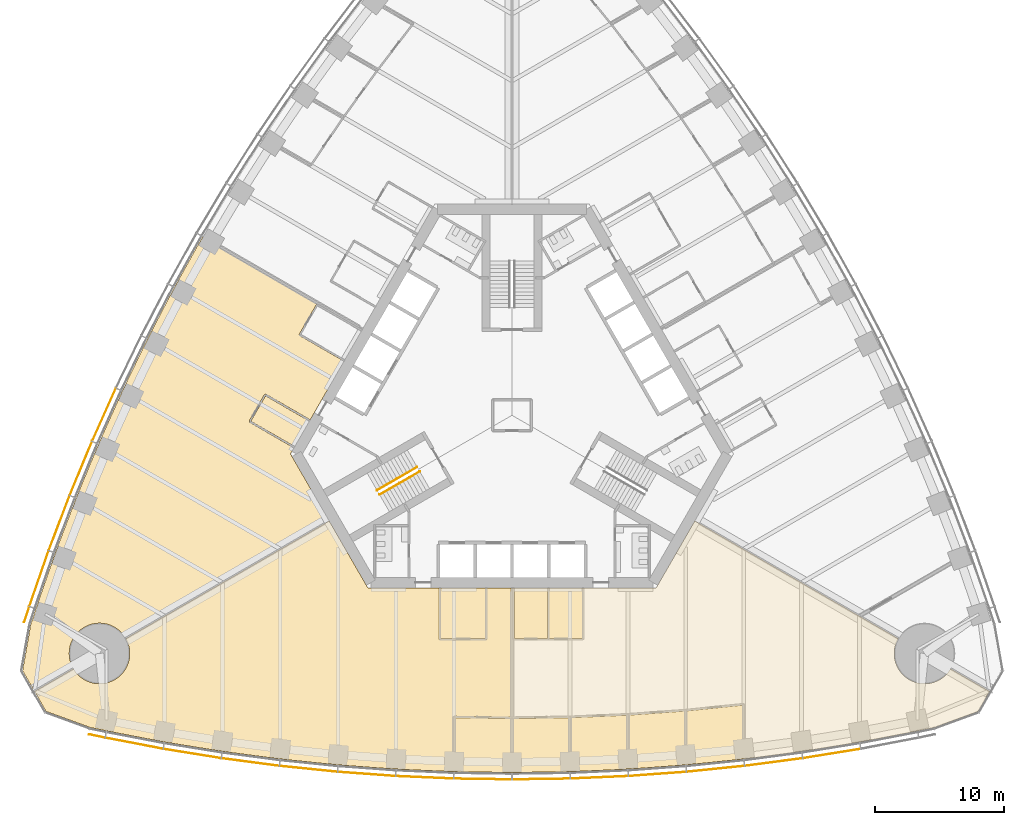
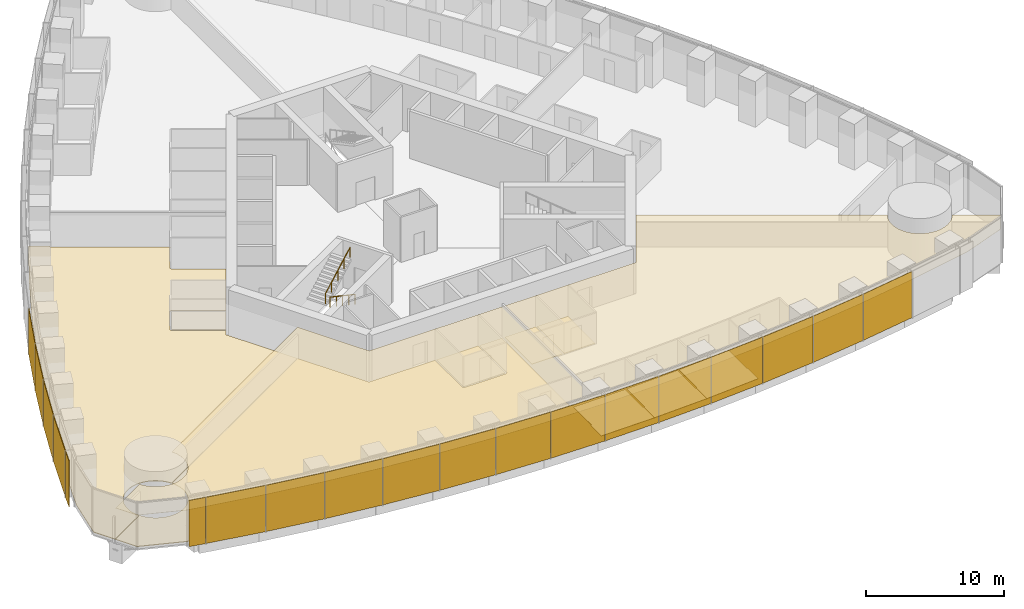
# One storey, part 14 of 18: 19 shading devices, 12 coverings, 2 railings.
"""IFC4 building model written with IfcOpenShell, lengths in metres."""

from ifc_helpers import new_model, si_unit, direction, frame, origin, origin_2d, place, context, subcontext, project, spatial, polyline, rectangle, circle, outline, extrude, material, layer, layer_set, type_object, element, save


model = new_model("IFC4")

# Units and contexts
model_context = context("Model", 3, precision=1e-05, world=origin(), true_north=direction((0.0, 1.0)))
body_context = subcontext(model_context, "Body", "Model", "MODEL_VIEW")
ifc_project = project(units=[si_unit("LENGTHUNIT", "METRE"), si_unit("AREAUNIT", "SQUARE_METRE"), si_unit("VOLUMEUNIT", "CUBIC_METRE"), si_unit("PLANEANGLEUNIT", "RADIAN"), si_unit("MASSUNIT", "GRAM", prefix="KILO")], contexts=[model_context])

# Site, building, storey
site_placement = place(None, origin())
site = spatial("IfcSite", under=ifc_project, at=site_placement, CompositionType="ELEMENT")
building_placement = place(site_placement, origin())
building = spatial("IfcBuilding", under=site, at=building_placement, Name="Trefoil Bronze Tower", CompositionType="ELEMENT")
storey_placement = place(building_placement, frame((0.0, 0.0, 37.5)))
storey = spatial("IfcBuildingStorey", under=building, at=storey_placement, Name="L08", CompositionType="ELEMENT", Elevation=37.5)

# Shading devices
ifc_material_1 = material(Name="Perforated bronze sheet", Category="bronze")
ifc_layer_1 = layer(ifc_material_1, 0.0400390625)
ifc_layer_set_1 = layer_set([ifc_layer_1], Name="Bronze solar screen panel")
shading_device_type = type_object("IfcShadingDeviceType", Name="Bronze solar screen panel", PredefinedType="SHUTTER", material=ifc_layer_set_1)
shading_device_1_placement = place(storey_placement, frame((-32.2431640625, -24.91064453125, 0.050048828125), z_axis=(0.0, 0.0, 1.0), x_axis=(0.978302717041, -0.207180582657, 0.0)))
element("IfcShadingDevice", 1, at=shading_device_1_placement, inside=storey, type_object=shading_device_type, Name="Solar screen CW-A L08 F1 bay 1", PredefinedType="SHUTTER", context=body_context, shape_type="SweptSolid", body=[
    extrude(rectangle(XDim=1.260498046875, YDim=0.0400390625, at=origin_2d()), origin(), (0.0, 0.0, 1.0), 4.10009765625),
])
shading_device_2_placement = place(storey_placement, frame((-29.351806640625, -25.478515625, 0.050048828125), z_axis=(0.0, 0.0, 1.0), x_axis=(0.982049823817, -0.188621694249, 0.0)))
element("IfcShadingDevice", 2, at=shading_device_2_placement, inside=storey, type_object=shading_device_type, Name="Solar screen CW-A L08 F1 bay 2", PredefinedType="SHUTTER", context=body_context, shape_type="SweptSolid", body=[
    extrude(rectangle(XDim=4.55224609375, YDim=0.0400390625, at=origin_2d()), origin(), (0.0, 0.0, 1.0), 4.10009765625),
])
shading_device_3_placement = place(storey_placement, frame((-24.836181640625, -26.277099609375, 0.050048828125), z_axis=(0.0, 0.0, 1.0), x_axis=(0.987181315145, -0.159602791421, 0.0)))
element("IfcShadingDevice", 3, at=shading_device_3_placement, inside=storey, type_object=shading_device_type, Name="Solar screen CW-A L08 F1 bay 3", PredefinedType="SHUTTER", context=body_context, shape_type="SweptSolid", body=[
    extrude(rectangle(XDim=4.5283203125, YDim=0.0400390625, at=origin_2d()), origin(), (0.0, 0.0, 1.0), 4.10009765625),
])
shading_device_4_placement = place(storey_placement, frame((-20.320556640625, -26.939697265625, 0.050048828125), z_axis=(0.0, 0.0, 1.0), x_axis=(0.991437251591, -0.130583981243, 0.0)))
element("IfcShadingDevice", 4, at=shading_device_4_placement, inside=storey, type_object=shading_device_type, Name="Solar screen CW-A L08 F1 bay 4", PredefinedType="SHUTTER", context=body_context, shape_type="SweptSolid", body=[
    extrude(rectangle(XDim=4.5087890625, YDim=0.0400390625, at=origin_2d()), origin(), (0.0, 0.0, 1.0), 4.10009765625),
])
shading_device_5_placement = place(storey_placement, frame((-15.804931640625, -27.467529296875, 0.050048828125), z_axis=(0.0, 0.0, 1.0), x_axis=(0.994828880293, -0.101565244717, 0.0)))
element("IfcShadingDevice", 5, at=shading_device_5_placement, inside=storey, type_object=shading_device_type, Name="Solar screen CW-A L08 F1 bay 5", PredefinedType="SHUTTER", context=body_context, shape_type="SweptSolid", body=[
    extrude(rectangle(XDim=4.493408203125, YDim=0.0400390625, at=origin_2d()), origin(), (0.0, 0.0, 1.0), 4.10009765625),
])
shading_device_6_placement = place(storey_placement, frame((-11.2890625, -27.8623046875, 0.050048828125), z_axis=(0.0, 0.0, 1.0), x_axis=(0.99736502647, -0.072546564177, 0.0)))
element("IfcShadingDevice", 6, at=shading_device_6_placement, inside=storey, type_object=shading_device_type, Name="Solar screen CW-A L08 F1 bay 6", PredefinedType="SHUTTER", context=body_context, shape_type="SweptSolid", body=[
    extrude(rectangle(XDim=4.48193359375, YDim=0.0400390625, at=origin_2d()), origin(), (0.0, 0.0, 1.0), 4.10009765625),
])
shading_device_7_placement = place(storey_placement, frame((-6.7734375, -28.124755859375, 0.050048828125), z_axis=(0.0, 0.0, 1.0), x_axis=(0.999052210809, -0.043527922969, 0.0)))
element("IfcShadingDevice", 7, at=shading_device_7_placement, inside=storey, type_object=shading_device_type, Name="Solar screen CW-A L08 F1 bay 7", PredefinedType="SHUTTER", context=body_context, shape_type="SweptSolid", body=[
    extrude(rectangle(XDim=4.474365234375, YDim=0.0400390625, at=origin_2d()), origin(), (0.0, 0.0, 1.0), 4.10009765625),
])
for number, where, z_axis, x_axis, name in (
    (8, (-2.2578125, -28.256103515625, 0.050048828125), (0.0, 0.0, 1.0), (0.999894734493, -0.014509305083, 0.0), "Solar screen CW-A L08 F1 bay 8"),
    (9, (2.2578125, -28.256103515625, 0.050048828125), (0.0, 0.0, 1.0), (0.999894734493, 0.014509305083, 0.0), "Solar screen CW-A L08 F1 bay 9"),
):
    element("IfcShadingDevice", number, at=place(storey_placement, frame(where, z_axis=z_axis, x_axis=x_axis)), inside=storey, type_object=shading_device_type, Name=name, PredefinedType="SHUTTER", context=body_context, shape_type="SweptSolid", body=[
        extrude(rectangle(XDim=4.470458984375, YDim=0.0400390625, at=origin_2d()), origin(), (0.0, 0.0, 1.0), 4.10009765625),
    ])
shading_device_8_placement = place(storey_placement, frame((6.7734375, -28.124755859375, 0.050048828125), z_axis=(0.0, 0.0, 1.0), x_axis=(0.999052210809, 0.043527922969, 0.0)))
element("IfcShadingDevice", 10, at=shading_device_8_placement, inside=storey, type_object=shading_device_type, Name="Solar screen CW-A L08 F1 bay 10", PredefinedType="SHUTTER", context=body_context, shape_type="SweptSolid", body=[
    extrude(rectangle(XDim=4.474365234375, YDim=0.0400390625, at=origin_2d()), origin(), (0.0, 0.0, 1.0), 4.10009765625),
])
shading_device_9_placement = place(storey_placement, frame((11.2890625, -27.8623046875, 0.050048828125), z_axis=(0.0, 0.0, 1.0), x_axis=(0.99736502647, 0.072546564177, 0.0)))
element("IfcShadingDevice", 11, at=shading_device_9_placement, inside=storey, type_object=shading_device_type, Name="Solar screen CW-A L08 F1 bay 11", PredefinedType="SHUTTER", context=body_context, shape_type="SweptSolid", body=[
    extrude(rectangle(XDim=4.48193359375, YDim=0.0400390625, at=origin_2d()), origin(), (0.0, 0.0, 1.0), 4.10009765625),
])
shading_device_10_placement = place(storey_placement, frame((15.804931640625, -27.467529296875, 0.050048828125), z_axis=(0.0, 0.0, 1.0), x_axis=(0.994828880293, 0.101565244717, 0.0)))
element("IfcShadingDevice", 12, at=shading_device_10_placement, inside=storey, type_object=shading_device_type, Name="Solar screen CW-A L08 F1 bay 12", PredefinedType="SHUTTER", context=body_context, shape_type="SweptSolid", body=[
    extrude(rectangle(XDim=4.493408203125, YDim=0.0400390625, at=origin_2d()), origin(), (0.0, 0.0, 1.0), 4.10009765625),
])
shading_device_11_placement = place(storey_placement, frame((20.320556640625, -26.939697265625, 0.050048828125), z_axis=(0.0, 0.0, 1.0), x_axis=(0.991437251591, 0.130583981243, 0.0)))
element("IfcShadingDevice", 13, at=shading_device_11_placement, inside=storey, type_object=shading_device_type, Name="Solar screen CW-A L08 F1 bay 13", PredefinedType="SHUTTER", context=body_context, shape_type="SweptSolid", body=[
    extrude(rectangle(XDim=4.5087890625, YDim=0.0400390625, at=origin_2d()), origin(), (0.0, 0.0, 1.0), 4.10009765625),
])
shading_device_12_placement = place(storey_placement, frame((24.836181640625, -26.277099609375, 0.050048828125), z_axis=(0.0, 0.0, 1.0), x_axis=(0.987181315145, 0.159602791421, 0.0)))
element("IfcShadingDevice", 14, at=shading_device_12_placement, inside=storey, type_object=shading_device_type, Name="Solar screen CW-A L08 F1 bay 14", PredefinedType="SHUTTER", context=body_context, shape_type="SweptSolid", body=[
    extrude(rectangle(XDim=4.5283203125, YDim=0.0400390625, at=origin_2d()), origin(), (0.0, 0.0, 1.0), 4.10009765625),
])
shading_device_13_placement = place(storey_placement, frame((-31.68994140625, 0.04638671875, 0.050048828125), z_axis=(0.0, 0.0, 1.0), x_axis=(-0.40945635808, -0.912329705111, 0.0)))
element("IfcShadingDevice", 15, at=shading_device_13_placement, inside=storey, type_object=shading_device_type, Name="Solar screen CW-A L08 F3 bay 12", PredefinedType="SHUTTER", context=body_context, shape_type="SweptSolid", body=[
    extrude(rectangle(XDim=4.493408203125, YDim=0.0400390625, at=origin_2d()), origin(), (0.0, 0.0, 1.0), 4.10009765625),
])
shading_device_14_placement = place(storey_placement, frame((-33.49072265625, -4.128173828125, 0.050048828125), z_axis=(0.0, 0.0, 1.0), x_axis=(-0.382629580712, -0.923901836758, 0.0)))
element("IfcShadingDevice", 16, at=shading_device_14_placement, inside=storey, type_object=shading_device_type, Name="Solar screen CW-A L08 F3 bay 13", PredefinedType="SHUTTER", context=body_context, shape_type="SweptSolid", body=[
    extrude(rectangle(XDim=4.5087890625, YDim=0.0400390625, at=origin_2d()), origin(), (0.0, 0.0, 1.0), 4.10009765625),
])
shading_device_15_placement = place(storey_placement, frame((-35.1748046875, -8.3701171875, 0.050048828125), z_axis=(0.0, 0.0, 1.0), x_axis=(-0.355370585687, -0.934725492767, 0.0)))
element("IfcShadingDevice", 17, at=shading_device_15_placement, inside=storey, type_object=shading_device_type, Name="Solar screen CW-A L08 F3 bay 14", PredefinedType="SHUTTER", context=body_context, shape_type="SweptSolid", body=[
    extrude(rectangle(XDim=4.5283203125, YDim=0.0400390625, at=origin_2d()), origin(), (0.0, 0.0, 1.0), 4.10009765625),
])
shading_device_16_placement = place(storey_placement, frame((-36.740966796875, -12.68017578125, 0.050048828125), z_axis=(0.0, 0.0, 1.0), x_axis=(-0.327673732984, -0.944790942332, 0.0)))
element("IfcShadingDevice", 18, at=shading_device_16_placement, inside=storey, type_object=shading_device_type, Name="Solar screen CW-A L08 F3 bay 15", PredefinedType="SHUTTER", context=body_context, shape_type="SweptSolid", body=[
    extrude(rectangle(XDim=4.55224609375, YDim=0.0400390625, at=origin_2d()), origin(), (0.0, 0.0, 1.0), 4.10009765625),
])
shading_device_17_placement = place(storey_placement, frame((-37.69482421875, -15.468017578125, 0.050048828125), z_axis=(0.0, 0.0, 1.0), x_axis=(-0.309727710769, -0.950825296877, 0.0)))
element("IfcShadingDevice", 19, at=shading_device_17_placement, inside=storey, type_object=shading_device_type, Name="Solar screen CW-A L08 F3 bay 16", PredefinedType="SHUTTER", context=body_context, shape_type="SweptSolid", body=[
    extrude(rectangle(XDim=1.260498046875, YDim=0.0400390625, at=origin_2d()), origin(), (0.0, 0.0, 1.0), 4.10009765625),
])

# Railings
ifc_material_2 = material(Name="Steel handrail", Category="steel")
railing_type = type_object("IfcRailingType", Name="Handrail 900", PredefinedType="HANDRAIL", material=ifc_material_2)
railing_1_placement = place(storey_placement, frame((-7.166015625, -4.3681640625, 0.16162109375)))
element("IfcRailing", 20, at=railing_1_placement, inside=storey, type_object=railing_type, Name="Handrail ST3 flight 1 L08", PredefinedType="HANDRAIL", context=body_context, shape_type="SweptSolid", body=[
    extrude(circle(Radius=0.02392578125, at=origin_2d()), frame((0.0, 0.0, 0.8759765625), z_axis=(-0.76250339821, -0.440245697338, 0.474101564745), x_axis=(0.500012057535, -0.866018442252, 0.0)), (0.0, 0.0, 1.0), 4.088623046875),
    extrude(circle(Radius=0.02099609375, at=origin_2d()), origin(), (0.0, 0.0, 1.0), 0.851806640625),
    extrude(circle(Radius=0.02099609375, at=origin_2d()), frame((-0.779296875, -0.449951171875, 0.484619140625)), (0.0, 0.0, 1.0), 0.851806640625),
    extrude(circle(Radius=0.02099609375, at=origin_2d()), frame((-1.558837890625, -0.89990234375, 0.96923828125)), (0.0, 0.0, 1.0), 0.851806640625),
    extrude(circle(Radius=0.02099609375, at=origin_2d()), frame((-2.33837890625, -1.35009765625, 1.453857421875)), (0.0, 0.0, 1.0), 0.851806640625),
    extrude(circle(Radius=0.02099609375, at=origin_2d()), frame((-3.11767578125, -1.800048828125, 1.9384765625)), (0.0, 0.0, 1.0), 0.851806640625),
])
railing_2_placement = place(storey_placement, frame((-10.483642578125, -5.82177734375, 2.261474609375)))
element("IfcRailing", 21, at=railing_2_placement, inside=storey, type_object=railing_type, Name="Handrail ST3 flight 2 L08", PredefinedType="HANDRAIL", context=body_context, shape_type="SweptSolid", body=[
    extrude(circle(Radius=0.02392578125, at=origin_2d()), frame((0.0, 0.0, 0.8759765625), z_axis=(0.76250339821, 0.440245697338, 0.474101564745), x_axis=(-0.500012057535, 0.866018442252, 0.0)), (0.0, 0.0, 1.0), 4.088623046875),
    extrude(circle(Radius=0.02099609375, at=origin_2d()), origin(), (0.0, 0.0, 1.0), 0.851806640625),
    extrude(circle(Radius=0.02099609375, at=origin_2d()), frame((0.779296875, 0.449951171875, 0.484619140625)), (0.0, 0.0, 1.0), 0.851806640625),
    extrude(circle(Radius=0.02099609375, at=origin_2d()), frame((1.558837890625, 0.89990234375, 0.96923828125)), (0.0, 0.0, 1.0), 0.851806640625),
    extrude(circle(Radius=0.02099609375, at=origin_2d()), frame((2.33837890625, 1.35009765625, 1.453857421875)), (0.0, 0.0, 1.0), 0.851806640625),
    extrude(circle(Radius=0.02099609375, at=origin_2d()), frame((3.11767578125, 1.800048828125, 1.9384765625)), (0.0, 0.0, 1.0), 0.851806640625),
])

# Coverings
ifc_material_3 = material(Name="Acoustic ceiling panels", Category="mineral fibre")
ifc_layer_2 = layer(ifc_material_3, 0.02001953125)
ifc_layer_set_2 = layer_set([ifc_layer_2], Name="Office ceiling 20")
covering_type_1 = type_object("IfcCoveringType", Name="Office ceiling 20", PredefinedType="CEILING", material=ifc_layer_set_2)
covering_1_placement = place(storey_placement, frame((0.0, 0.0, 2.89990234375)))
element("IfcCovering", 22, at=covering_1_placement, inside=storey, type_object=covering_type_1, Name="Ceiling L08 Open-plan office F1", PredefinedType="CEILING", context=body_context, shape_type="SweptSolid", body=[
    extrude(outline(polyline([(-33.996826171875, -19.8056640625), (-33.930419921875, -19.89990234375), (-33.859619140625, -19.99072265625), (-33.7841796875, -20.078125), (-33.70458984375, -20.16162109375), (-33.62109375, -20.2412109375), (-33.53369140625, -20.316650390625), (-33.44287109375, -20.387451171875), (-33.348388671875, -20.4541015625), (-33.251220703125, -20.515625), (-33.150634765625, -20.572509765625), (-33.047607421875, -20.62451171875), (-32.942138671875, -20.671142578125), (-32.834716796875, -20.712646484375), (-32.72509765625, -20.748779296875), (-32.614013671875, -20.779541015625), (-32.50146484375, -20.8046875), (-32.3876953125, -20.82470703125), (-32.273193359375, -20.838623046875), (-32.158203125, -20.84716796875), (-32.04296875, -20.85009765625), (-31.927490234375, -20.84716796875), (-31.8125, -20.838623046875), (-31.697998046875, -20.82470703125), (-31.58447265625, -20.8046875), (-31.471923828125, -20.779541015625), (-31.36083984375, -20.748779296875), (-31.251220703125, -20.712646484375), (-31.1435546875, -20.671142578125), (-31.0380859375, -20.62451171875), (-30.935302734375, -20.572509765625), (-30.834716796875, -20.515625), (-30.7373046875, -20.4541015625), (-30.64306640625, -20.387451171875), (-30.552001953125, -20.316650390625), (-30.46484375, -20.2412109375), (-30.381103515625, -20.16162109375), (-30.3017578125, -20.078125), (-30.226318359375, -19.99072265625), (-30.155517578125, -19.89990234375), (-30.089111328125, -19.8056640625), (-30.02734375, -19.7080078125), (-29.970458984375, -19.60791015625), (-29.918701171875, -19.5048828125), (-29.871826171875, -19.3994140625), (-29.830322265625, -19.291748046875), (-29.794189453125, -19.18212890625), (-29.763427734375, -19.071044921875), (-29.738037109375, -18.95849609375), (-29.718505859375, -18.8447265625), (-29.704345703125, -18.730224609375), (-29.69580078125, -18.615234375), (-29.69287109375, -18.5), (-29.69580078125, -18.384765625), (-29.704345703125, -18.269775390625), (-29.718505859375, -18.1552734375), (-29.738037109375, -18.04150390625), (-29.763427734375, -17.928955078125), (-29.794189453125, -17.81787109375), (-29.830322265625, -17.708251953125), (-29.871826171875, -17.6005859375), (-29.918701171875, -17.4951171875), (-29.970458984375, -17.39208984375), (-30.001953125, -17.336669921875), (-14.19970703125, -8.205322265625), (-11.20068359375, -13.39990234375), (11.20068359375, -13.39990234375), (14.19970703125, -8.205322265625), (30.001953125, -17.336669921875), (29.970458984375, -17.39208984375), (29.918701171875, -17.4951171875), (29.871826171875, -17.6005859375), (29.830322265625, -17.708251953125), (29.794189453125, -17.81787109375), (29.763427734375, -17.928955078125), (29.738037109375, -18.04150390625), (29.718505859375, -18.1552734375), (29.704345703125, -18.269775390625), (29.69580078125, -18.384765625), (29.69287109375, -18.5), (29.69580078125, -18.615234375), (29.704345703125, -18.730224609375), (29.718505859375, -18.8447265625), (29.738037109375, -18.95849609375), (29.763427734375, -19.071044921875), (29.794189453125, -19.18212890625), (29.830322265625, -19.291748046875), (29.871826171875, -19.3994140625), (29.918701171875, -19.5048828125), (29.970458984375, -19.60791015625), (30.02734375, -19.7080078125), (30.089111328125, -19.8056640625), (30.155517578125, -19.89990234375), (30.226318359375, -19.99072265625), (30.3017578125, -20.078125), (30.381103515625, -20.16162109375), (30.46484375, -20.2412109375), (30.552001953125, -20.316650390625), (30.64306640625, -20.387451171875), (30.7373046875, -20.4541015625), (30.834716796875, -20.515625), (30.935302734375, -20.572509765625), (31.0380859375, -20.62451171875), (31.1435546875, -20.671142578125), (31.251220703125, -20.712646484375), (31.36083984375, -20.748779296875), (31.471923828125, -20.779541015625), (31.58447265625, -20.8046875), (31.697998046875, -20.82470703125), (31.8125, -20.838623046875), (31.927490234375, -20.84716796875), (32.04296875, -20.85009765625), (32.158203125, -20.84716796875), (32.273193359375, -20.838623046875), (32.3876953125, -20.82470703125), (32.50146484375, -20.8046875), (32.614013671875, -20.779541015625), (32.72509765625, -20.748779296875), (32.834716796875, -20.712646484375), (32.942138671875, -20.671142578125), (33.047607421875, -20.62451171875), (33.150634765625, -20.572509765625), (33.251220703125, -20.515625), (33.348388671875, -20.4541015625), (33.44287109375, -20.387451171875), (33.53369140625, -20.316650390625), (33.62109375, -20.2412109375), (33.70458984375, -20.16162109375), (33.7841796875, -20.078125), (33.859619140625, -19.99072265625), (33.930419921875, -19.89990234375), (33.996826171875, -19.8056640625), (34.0703125, -19.6875), (37.094482421875, -21.43505859375), (36.190673828125, -23.0009765625), (32.762451171875, -24.248779296875), (31.5, -24.51611328125), (27.0, -25.38037109375), (22.5, -26.10791015625), (18.0, -26.70068359375), (13.5, -27.159912109375), (9.0, -27.4873046875), (4.5, -27.683349609375), (0.0, -27.748779296875), (-4.5, -27.683349609375), (-9.0, -27.4873046875), (-13.5, -27.159912109375), (-18.0, -26.70068359375), (-22.5, -26.10791015625), (-27.0, -25.38037109375), (-31.5, -24.51611328125), (-32.762451171875, -24.248779296875), (-36.190673828125, -23.0009765625), (-37.094482421875, -21.43505859375), (-34.0703125, -19.6875), (-33.996826171875, -19.8056640625)])), origin(), (0.0, 0.0, 1.0), 0.02001953125),
])
ifc_material_4 = material(Name="Raised access floor panels", Category="steel")
ifc_layer_3 = layer(ifc_material_4, 0.050048828125)
ifc_layer_set_3 = layer_set([ifc_layer_3], Name="Raised access floor 150")
covering_type_2 = type_object("IfcCoveringType", Name="Raised access floor 150", PredefinedType="FLOORING", material=ifc_layer_set_3)
covering_2_placement = place(storey_placement, frame((0.0, 0.0, 0.10009765625)))
element("IfcCovering", 23, at=covering_2_placement, inside=storey, type_object=covering_type_2, Name="Raised floor L08 Meeting room F1", PredefinedType="FLOORING", context=body_context, shape_type="SweptSolid", body=[
    extrude(outline(polyline([(-2.06005859375, -13.39990234375), (-2.06005859375, -17.340087890625), (-5.5400390625, -17.340087890625), (-5.5400390625, -13.39990234375), (-2.06005859375, -13.39990234375)])), origin(), (0.0, 0.0, 1.0), 0.0498046875),
])
covering_3_placement = place(storey_placement, frame((0.0, 0.0, 0.10009765625)))
element("IfcCovering", 24, at=covering_3_placement, inside=storey, type_object=covering_type_2, Name="Raised floor L08 Pantry F1", PredefinedType="FLOORING", context=body_context, shape_type="SweptSolid", body=[
    extrude(outline(polyline([(2.764892578125, -13.39990234375), (2.764892578125, -17.340087890625), (0.18505859375, -17.340087890625), (0.18505859375, -13.39990234375), (2.764892578125, -13.39990234375)])), origin(), (0.0, 0.0, 1.0), 0.0498046875),
])
covering_4_placement = place(storey_placement, frame((0.0, 0.0, 0.10009765625)))
element("IfcCovering", 25, at=covering_4_placement, inside=storey, type_object=covering_type_2, Name="Raised floor L08 Pantry F1", PredefinedType="FLOORING", context=body_context, shape_type="SweptSolid", body=[
    extrude(outline(polyline([(5.465087890625, -13.39990234375), (5.465087890625, -17.340087890625), (2.885009765625, -17.340087890625), (2.885009765625, -13.39990234375), (5.465087890625, -13.39990234375)])), origin(), (0.0, 0.0, 1.0), 0.0498046875),
])
covering_5_placement = place(storey_placement, frame((0.0, 0.0, 0.10009765625)))
element("IfcCovering", 26, at=covering_5_placement, inside=storey, type_object=covering_type_2, Name="Raised floor L08 Office F1", PredefinedType="FLOORING", context=body_context, shape_type="SweptSolid", body=[
    extrude(outline(polyline([(0.0, -27.748779296875), (-4.5, -27.683349609375), (-4.5, -26.102783203125), (-4.43994140625, -26.102783203125), (-4.43994140625, -23.494384765625), (-0.074951171875, -23.5576171875), (-0.074951171875, -26.168701171875), (0.0, -26.168701171875), (0.0, -27.748779296875)])), origin(), (0.0, 0.0, 1.0), 0.0498046875),
])
covering_6_placement = place(storey_placement, frame((0.0, 0.0, 0.10009765625)))
element("IfcCovering", 27, at=covering_6_placement, inside=storey, type_object=covering_type_2, Name="Raised floor L08 Office F1", PredefinedType="FLOORING", context=body_context, shape_type="SweptSolid", body=[
    extrude(outline(polyline([(4.5, -27.683349609375), (0.0, -27.748779296875), (0.0, -26.168701171875), (0.074951171875, -26.168701171875), (0.074951171875, -23.5576171875), (4.43994140625, -23.494384765625), (4.43994140625, -26.102783203125), (4.5, -26.102783203125), (4.5, -27.683349609375)])), origin(), (0.0, 0.0, 1.0), 0.0498046875),
])
covering_7_placement = place(storey_placement, frame((0.0, 0.0, 0.10009765625)))
element("IfcCovering", 28, at=covering_7_placement, inside=storey, type_object=covering_type_2, Name="Raised floor L08 Office F1", PredefinedType="FLOORING", context=body_context, shape_type="SweptSolid", body=[
    extrude(outline(polyline([(9.0, -27.4873046875), (4.5, -27.683349609375), (4.5, -26.102783203125), (4.56005859375, -26.102783203125), (4.56005859375, -23.490966796875), (8.93994140625, -23.300048828125), (8.93994140625, -25.90478515625), (9.0, -25.90478515625), (9.0, -27.4873046875)])), origin(), (0.0, 0.0, 1.0), 0.0498046875),
])
covering_8_placement = place(storey_placement, frame((0.0, 0.0, 0.10009765625)))
element("IfcCovering", 29, at=covering_8_placement, inside=storey, type_object=covering_type_2, Name="Raised floor L08 Office F1", PredefinedType="FLOORING", context=body_context, shape_type="SweptSolid", body=[
    extrude(outline(polyline([(13.5, -27.159912109375), (9.0, -27.4873046875), (9.0, -25.90478515625), (9.06005859375, -25.90478515625), (9.06005859375, -23.293212890625), (13.43994140625, -22.974609375), (13.43994140625, -25.573974609375), (13.5, -25.573974609375), (13.5, -27.159912109375)])), origin(), (0.0, 0.0, 1.0), 0.0498046875),
])
covering_9_placement = place(storey_placement, frame((0.0, 0.0, 0.10009765625)))
element("IfcCovering", 30, at=covering_9_placement, inside=storey, type_object=covering_type_2, Name="Raised floor L08 Meeting room F1", PredefinedType="FLOORING", context=body_context, shape_type="SweptSolid", body=[
    extrude(outline(polyline([(18.0, -26.70068359375), (13.5, -27.159912109375), (13.5, -25.573974609375), (13.56005859375, -25.573974609375), (13.56005859375, -22.964111328125), (17.93994140625, -22.51708984375), (17.93994140625, -25.10986328125), (18.0, -25.10986328125), (18.0, -26.70068359375)])), origin(), (0.0, 0.0, 1.0), 0.0498046875),
])
covering_10_placement = place(storey_placement, frame((0.0, 0.0, 0.10009765625)))
element("IfcCovering", 31, at=covering_10_placement, inside=storey, type_object=covering_type_2, Name="Raised floor L08 Open-plan office F1", PredefinedType="FLOORING", context=body_context, shape_type="SweptSolid", body=[
    extrude(outline(polyline([(-30.001953125, -17.336669921875), (-14.19970703125, -8.205322265625), (-11.20068359375, -13.39990234375), (-5.659912109375, -13.39990234375), (-5.659912109375, -17.39990234375), (-5.60009765625, -17.39990234375), (-5.60009765625, -17.4599609375), (-2.0, -17.4599609375), (-2.0, -17.39990234375), (-1.93994140625, -17.39990234375), (-1.93994140625, -13.39990234375), (-0.0009765625, -13.39990234375), (-0.0009765625, -13.409912109375), (-0.074951171875, -13.409912109375), (-0.074951171875, -23.4375), (-4.4990234375, -23.373291015625), (-4.5, -23.433349609375), (-4.56005859375, -23.433349609375), (-4.56005859375, -26.102783203125), (-4.5, -26.102783203125), (-4.5, -27.683349609375), (-9.0, -27.4873046875), (-13.5, -27.159912109375), (-18.0, -26.70068359375), (-22.5, -26.10791015625), (-27.0, -25.38037109375), (-31.5, -24.51611328125), (-32.762451171875, -24.248779296875), (-36.190673828125, -23.0009765625), (-37.094482421875, -21.43505859375), (-34.0703125, -19.6875), (-33.996826171875, -19.8056640625), (-33.930419921875, -19.89990234375), (-33.859619140625, -19.99072265625), (-33.7841796875, -20.078125), (-33.70458984375, -20.16162109375), (-33.62109375, -20.2412109375), (-33.53369140625, -20.316650390625), (-33.44287109375, -20.387451171875), (-33.348388671875, -20.4541015625), (-33.251220703125, -20.515625), (-33.150634765625, -20.572509765625), (-33.047607421875, -20.62451171875), (-32.942138671875, -20.671142578125), (-32.834716796875, -20.712646484375), (-32.72509765625, -20.748779296875), (-32.614013671875, -20.779541015625), (-32.50146484375, -20.8046875), (-32.3876953125, -20.82470703125), (-32.273193359375, -20.838623046875), (-32.158203125, -20.84716796875), (-32.04296875, -20.85009765625), (-31.927490234375, -20.84716796875), (-31.8125, -20.838623046875), (-31.697998046875, -20.82470703125), (-31.58447265625, -20.8046875), (-31.471923828125, -20.779541015625), (-31.36083984375, -20.748779296875), (-31.251220703125, -20.712646484375), (-31.1435546875, -20.671142578125), (-31.0380859375, -20.62451171875), (-30.935302734375, -20.572509765625), (-30.834716796875, -20.515625), (-30.7373046875, -20.4541015625), (-30.64306640625, -20.387451171875), (-30.552001953125, -20.316650390625), (-30.46484375, -20.2412109375), (-30.381103515625, -20.16162109375), (-30.3017578125, -20.078125), (-30.226318359375, -19.99072265625), (-30.155517578125, -19.89990234375), (-30.089111328125, -19.8056640625), (-30.02734375, -19.7080078125), (-29.970458984375, -19.60791015625), (-29.918701171875, -19.5048828125), (-29.871826171875, -19.3994140625), (-29.830322265625, -19.291748046875), (-29.794189453125, -19.18212890625), (-29.763427734375, -19.071044921875), (-29.738037109375, -18.95849609375), (-29.718505859375, -18.8447265625), (-29.704345703125, -18.730224609375), (-29.69580078125, -18.615234375), (-29.69287109375, -18.5), (-29.69580078125, -18.384765625), (-29.704345703125, -18.269775390625), (-29.718505859375, -18.1552734375), (-29.738037109375, -18.04150390625), (-29.763427734375, -17.928955078125), (-29.794189453125, -17.81787109375), (-29.830322265625, -17.708251953125), (-29.871826171875, -17.6005859375), (-29.918701171875, -17.4951171875), (-29.970458984375, -17.39208984375), (-30.001953125, -17.336669921875)])), origin(), (0.0, 0.0, 1.0), 0.0498046875),
])
covering_11_placement = place(storey_placement, frame((0.0, 0.0, 0.10009765625)))
element("IfcCovering", 32, at=covering_11_placement, inside=storey, type_object=covering_type_2, Name="Raised floor L08 Store F3", PredefinedType="FLOORING", context=body_context, shape_type="SweptSolid", body=[
    extrude(outline(polyline([(-16.874755859375, -2.427978515625), (-20.286865234375, -0.4580078125), (-19.14697265625, 1.5166015625), (-15.734619140625, -0.453369140625), (-16.874755859375, -2.427978515625)])), origin(), (0.0, 0.0, 1.0), 0.0498046875),
])
covering_12_placement = place(storey_placement, frame((0.0, 0.0, 0.10009765625)))
element("IfcCovering", 33, at=covering_12_placement, inside=storey, type_object=covering_type_2, Name="Raised floor L08 Open-plan office F3", PredefinedType="FLOORING", context=body_context, shape_type="SweptSolid", body=[
    extrude(outline(polyline([(-30.271240234375, 1.888671875), (-28.3046875, 5.949462890625), (-26.224609375, 9.944580078125), (-24.031494140625, 13.87353515625), (-22.663330078125, 13.08349609375), (-22.7001953125, 13.019287109375), (-15.106201171875, 8.635009765625), (-15.13134765625, 8.591796875), (-15.183349609375, 8.62158203125), (-16.533203125, 6.283447265625), (-16.481201171875, 6.25341796875), (-16.51123046875, 6.201416015625), (-13.047119140625, 4.201416015625), (-15.6748046875, -0.349365234375), (-19.138916015625, 1.650634765625), (-19.168701171875, 1.5986328125), (-19.220703125, 1.628662109375), (-20.4208984375, -0.449951171875), (-20.368896484375, -0.47998046875), (-20.398681640625, -0.53173828125), (-16.934814453125, -2.53173828125), (-17.205078125, -3.0), (-14.205810546875, -8.194580078125), (-30.0146484375, -17.31396484375), (-30.02734375, -17.2919921875), (-30.089111328125, -17.1943359375), (-30.155517578125, -17.10009765625), (-30.226318359375, -17.00927734375), (-30.3017578125, -16.921875), (-30.381103515625, -16.83837890625), (-30.46484375, -16.7587890625), (-30.552001953125, -16.683349609375), (-30.64306640625, -16.612548828125), (-30.7373046875, -16.5458984375), (-30.834716796875, -16.484375), (-30.935302734375, -16.427490234375), (-31.0380859375, -16.37548828125), (-31.1435546875, -16.328857421875), (-31.251220703125, -16.287353515625), (-31.36083984375, -16.251220703125), (-31.471923828125, -16.220458984375), (-31.58447265625, -16.1953125), (-31.697998046875, -16.17529296875), (-31.8125, -16.161376953125), (-31.927490234375, -16.15283203125), (-32.04296875, -16.14990234375), (-32.158203125, -16.15283203125), (-32.273193359375, -16.161376953125), (-32.3876953125, -16.17529296875), (-32.50146484375, -16.1953125), (-32.614013671875, -16.220458984375), (-32.72509765625, -16.251220703125), (-32.834716796875, -16.287353515625), (-32.942138671875, -16.328857421875), (-33.047607421875, -16.37548828125), (-33.150634765625, -16.427490234375), (-33.251220703125, -16.484375), (-33.348388671875, -16.5458984375), (-33.44287109375, -16.612548828125), (-33.53369140625, -16.683349609375), (-33.62109375, -16.7587890625), (-33.70458984375, -16.83837890625), (-33.7841796875, -16.921875), (-33.859619140625, -17.00927734375), (-33.930419921875, -17.10009765625), (-33.996826171875, -17.1943359375), (-34.05859375, -17.2919921875), (-34.115478515625, -17.39208984375), (-34.167236328125, -17.4951171875), (-34.214111328125, -17.6005859375), (-34.255615234375, -17.708251953125), (-34.291748046875, -17.81787109375), (-34.322509765625, -17.928955078125), (-34.347900390625, -18.04150390625), (-34.367431640625, -18.1552734375), (-34.381591796875, -18.269775390625), (-34.39013671875, -18.384765625), (-34.392822265625, -18.5), (-34.39013671875, -18.615234375), (-34.381591796875, -18.730224609375), (-34.367431640625, -18.8447265625), (-34.347900390625, -18.95849609375), (-34.322509765625, -19.071044921875), (-34.291748046875, -19.18212890625), (-34.255615234375, -19.291748046875), (-34.214111328125, -19.3994140625), (-34.167236328125, -19.5048828125), (-34.115478515625, -19.60791015625), (-34.084716796875, -19.661865234375), (-37.110595703125, -21.4072265625), (-38.0146484375, -19.841552734375), (-37.381103515625, -16.248779296875), (-36.9814453125, -15.021728515625), (-35.47998046875, -10.6923828125), (-33.860107421875, -6.431640625), (-32.123291015625, -2.23828125), (-30.271240234375, 1.888671875)])), origin(), (0.0, 0.0, 1.0), 0.0498046875),
])

save(model, "model.ifc")
